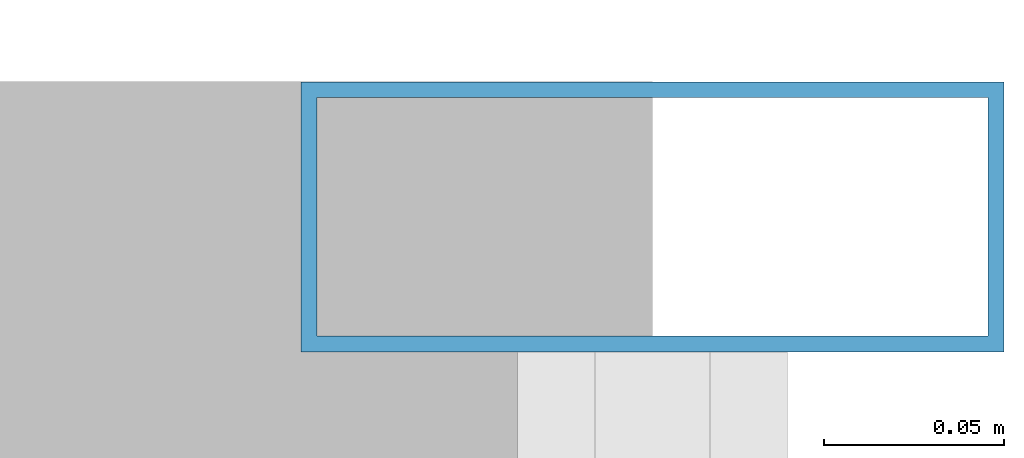
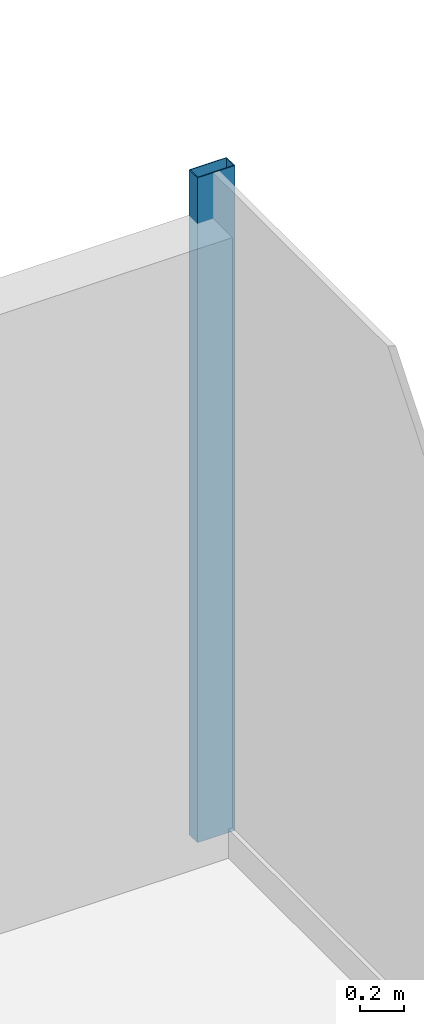
# One storey, part 18 of 25: 1 member, 1 element without a shape of its own.
"""IFC4 building model written with IfcOpenShell, lengths in metres."""

import ifcopenshell
import ifcopenshell.guid

model = None  # the IFC model being written
_history = None  # IfcOwnerHistory: only IFC2X3 demands one
_inside = {}  # id of a spatial element -> (the spatial element, [elements in it])
_under = {}  # id of a project, library or spatial element -> (it, [spatial elements below it])
_declared = {}  # id of a project -> (the project, [libraries it declares])
_typed = {}  # id of a type object -> (the type object, [elements of that type])
_made_of = {}  # id of a material, layer set ... -> (it, [elements and type objects made of it])


def new_model(schema):
    """Start an empty IFC model of exactly this schema.

    Asked for "IFC4X3", IfcOpenShell would pick the latest addendum, in which some entities
    have other attributes; the version numbers below select the first issue.
    IFC2X3 requires an IfcOwnerHistory on every rooted entity: one is made here for all.
    """
    global model, _history
    if schema == "IFC4X3":
        model = ifcopenshell.file(schema_version=(4, 3, 0, 0))
    else:
        model = ifcopenshell.file(schema=schema)
    _inside.clear()
    _under.clear()
    _declared.clear()
    _typed.clear()
    _made_of.clear()
    _history = None
    if model.schema == "IFC2X3":
        org = make("IfcOrganization", Name="unknown")
        user = make(
            "IfcPersonAndOrganization",
            ThePerson=make("IfcPerson", FamilyName="unknown"),
            TheOrganization=org,
        )
        app = make(
            "IfcApplication",
            ApplicationDeveloper=org,
            Version="unknown",
            ApplicationFullName="unknown",
            ApplicationIdentifier="unknown",
        )
        _history = make(
            "IfcOwnerHistory",
            OwningUser=user,
            OwningApplication=app,
            ChangeAction="ADDED",
            CreationDate=0,
        )
    return model


def make(cls, **values):
    """One entity of the class cls with the attributes given. An attribute that is None is left unset."""
    return model.create_entity(
        cls, **{name: value for name, value in values.items() if value is not None}
    )


def rooted(cls, **values):
    """An entity with a GlobalId (a new one), such as an element, a storey or a relation."""
    return make(cls, GlobalId=ifcopenshell.guid.new(), OwnerHistory=_history, **values)


def si_unit(unit_type, name, prefix=None):
    """IfcSIUnit, for example si_unit("LENGTHUNIT", "METRE", prefix="MILLI")."""
    return make("IfcSIUnit", UnitType=unit_type, Prefix=prefix, Name=name)


def derived_unit(unit_type, elements):
    """IfcDerivedUnit: a product of units, each with its exponent."""
    return make(
        "IfcDerivedUnit",
        Elements=[
            make("IfcDerivedUnitElement", Unit=unit, Exponent=power)
            for unit, power in elements
        ],
        UnitType=unit_type,
    )


def assignment(units):
    """IfcUnitAssignment: the units of a project."""
    return None if units is None else make("IfcUnitAssignment", Units=units)


def point(xyz):
    """IfcCartesianPoint."""
    return None if xyz is None else make("IfcCartesianPoint", Coordinates=xyz)


def direction(xyz):
    """IfcDirection."""
    return None if xyz is None else make("IfcDirection", DirectionRatios=xyz)


def frame(location, z_axis=None, x_axis=None):
    """IfcAxis2Placement3D, a coordinate frame: its origin and axes. An axis left out is left unset."""
    return make(
        "IfcAxis2Placement3D",
        Location=point(location),
        Axis=direction(z_axis),
        RefDirection=direction(x_axis),
    )


def frame_2d(location, x_axis=None):
    """IfcAxis2Placement2D, a coordinate frame in the plane: its origin and x axis."""
    return make(
        "IfcAxis2Placement2D", Location=point(location), RefDirection=direction(x_axis)
    )


def origin():
    """The frame at (0, 0, 0) with its axes left unset."""
    return frame((0.0, 0.0, 0.0))


def origin_2d():
    """The frame at (0, 0) in the plane with its x axis left unset."""
    return frame_2d((0.0, 0.0))


def place(relative_to, where):
    """IfcLocalPlacement: puts the frame where relative to a parent placement (None: the world)."""
    return make(
        "IfcLocalPlacement", PlacementRelTo=relative_to, RelativePlacement=where
    )


def context(
    kind, dimensions, precision=None, world=None, true_north=None, identifier=None
):
    """IfcGeometricRepresentationContext, for example the 3D "Model" context."""
    return make(
        "IfcGeometricRepresentationContext",
        ContextIdentifier=identifier,
        ContextType=kind,
        CoordinateSpaceDimension=dimensions,
        Precision=precision,
        WorldCoordinateSystem=world,
        TrueNorth=true_north,
    )


def subcontext(parent, identifier, kind, view, scale=None):
    """IfcGeometricRepresentationSubContext, for example "Body" below "Model"."""
    return make(
        "IfcGeometricRepresentationSubContext",
        ContextIdentifier=identifier,
        ContextType=kind,
        ParentContext=parent,
        TargetScale=scale,
        TargetView=view,
    )


def project(units=None, contexts=None):
    """IfcProject with its units and contexts."""
    return rooted(
        "IfcProject",
        Name="project",
        RepresentationContexts=contexts,
        UnitsInContext=assignment(units),
    )


def spatial(cls, under=None, at=None, **own):
    """A site, building, storey or space (cls), placed at a placement, below another one or the project."""
    s = rooted(cls, ObjectPlacement=at, **own)
    if under is not None:
        _under.setdefault(under.id(), (under, []))[1].append(s)
    return s


def profile(cls, at=None, kind="AREA", **sizes):
    """A parametric profile (cls). Its sizes go by their IFC names, for example OverallWidth=200.0."""
    return make(cls, ProfileType=kind, Position=at, **sizes)


def hollow_rectangle(**sizes):
    """IfcRectangleHollowProfileDef."""
    return profile("IfcRectangleHollowProfileDef", **sizes)


def extrude(swept, where, along, depth):
    """IfcExtrudedAreaSolid: the profile swept, set in the frame where, extruded along a direction by depth."""
    return make(
        "IfcExtrudedAreaSolid",
        SweptArea=swept,
        Position=where,
        ExtrudedDirection=direction(along),
        Depth=depth,
    )


def shape(context_of_items, identifier, shape_type, items):
    """IfcShapeRepresentation: the items that make up one representation, for example the "Body"."""
    return make(
        "IfcShapeRepresentation",
        ContextOfItems=context_of_items,
        RepresentationIdentifier=identifier,
        RepresentationType=shape_type,
        Items=items,
    )


def source(mapping_origin, context_of_items, identifier, shape_type, items):
    """IfcRepresentationMap: a shape defined once, which mapped items show again and again."""
    return make(
        "IfcRepresentationMap",
        MappingOrigin=mapping_origin,
        MappedRepresentation=shape(context_of_items, identifier, shape_type, items),
    )


def transform(
    local_origin,
    x_axis=None,
    y_axis=None,
    z_axis=None,
    scale=None,
    scale2=None,
    scale3=None,
    uniform=True,
):
    """IfcCartesianTransformationOperator3D, or its non-uniform kind. x_axis, y_axis, z_axis: its Axis1, 2, 3."""
    if uniform:
        return make(
            "IfcCartesianTransformationOperator3D",
            Axis1=direction(x_axis),
            Axis2=direction(y_axis),
            LocalOrigin=point(local_origin),
            Scale=scale,
            Axis3=direction(z_axis),
        )
    return make(
        "IfcCartesianTransformationOperator3DnonUniform",
        Axis1=direction(x_axis),
        Axis2=direction(y_axis),
        LocalOrigin=point(local_origin),
        Scale=scale,
        Axis3=direction(z_axis),
        Scale2=scale2,
        Scale3=scale3,
    )


def mapped(mapping_source, mapping_target):
    """IfcMappedItem: shows the shape of a source again, moved by a transform."""
    return make(
        "IfcMappedItem", MappingSource=mapping_source, MappingTarget=mapping_target
    )


def material(Name=None, Category=None):
    """IfcMaterial."""
    return make("IfcMaterial", Name=Name, Category=Category)


def material_profile(
    of_material, cross_section, Name=None, Category=None, Priority=None
):
    """IfcMaterialProfile: a cross section and its material."""
    return make(
        "IfcMaterialProfile",
        Name=Name,
        Material=of_material,
        Profile=cross_section,
        Priority=Priority,
        Category=Category,
    )


def profile_set(profiles, Name=None, composite=None):
    """IfcMaterialProfileSet."""
    return make(
        "IfcMaterialProfileSet",
        Name=Name,
        MaterialProfiles=profiles,
        CompositeProfile=composite,
    )


def made_of(thing, what):
    """Note that an element or type object is made of a material, layer set ...; save() writes the relation."""
    if what is not None:
        _made_of.setdefault(what.id(), (what, []))[1].append(thing)
    return thing


def type_object(cls, material=None, **own):
    """A type object (cls), such as IfcWallType, which elements share."""
    return made_of(rooted(cls, **own), material)


def element(
    cls,
    number,
    at=None,
    inside=None,
    cuts=None,
    type_object=None,
    material=None,
    context=None,
    identifier="Body",
    shape_type=None,
    held_by="IfcProductDefinitionShape",
    body=None,
    shapes=None,
    **own,
):
    """One element of the class cls, such as IfcWall. Its Tag is "e" and its number.

    at: its placement. inside: the storey or other place that contains it. cuts: it is an
    opening in that element (IfcRelVoidsElement). A single representation is given by context,
    identifier, shape_type and body (its items); several are given by shapes. held_by: the class
    of the entity that holds the representations. save() writes the other relations.
    """
    e = rooted(cls, Tag="e%d" % number, ObjectPlacement=at, **own)
    if body is not None:
        shapes = [shape(context, identifier, shape_type, body)]
    if shapes is not None:
        e.Representation = make(held_by, Representations=shapes)
    if inside is not None:
        _inside.setdefault(inside.id(), (inside, []))[1].append(e)
    if cuts is not None:
        rooted(
            "IfcRelVoidsElement", RelatingBuildingElement=cuts, RelatedOpeningElement=e
        )
    if type_object is not None:
        _typed.setdefault(type_object.id(), (type_object, []))[1].append(e)
    return made_of(e, material)


def aggregate(whole, parts):
    """IfcRelAggregates: a whole, such as a stair, and the parts it consists of."""
    return rooted("IfcRelAggregates", RelatingObject=whole, RelatedObjects=parts)


def save(model, path):
    """Write the relations noted so far, then the file.

    IfcRelAggregates (storeys below a building ...), IfcRelContainedInSpatialStructure (elements
    in a storey), IfcRelDefinesByType, IfcRelAssociatesMaterial and IfcRelDeclares: one each for
    every whole, place, type object, material and project.
    """
    for whole, parts in _under.values():
        aggregate(whole, parts)
    for where, things in _inside.values():
        rooted(
            "IfcRelContainedInSpatialStructure",
            RelatedElements=things,
            RelatingStructure=where,
        )
    for kind, things in _typed.values():
        rooted("IfcRelDefinesByType", RelatedObjects=things, RelatingType=kind)
    for what, things in _made_of.values():
        rooted("IfcRelAssociatesMaterial", RelatedObjects=things, RelatingMaterial=what)
    for by, libraries in _declared.values():
        rooted("IfcRelDeclares", RelatingContext=by, RelatedDefinitions=libraries)
    model.write(path)


model = new_model("IFC4")

# Units and contexts
model_context = context("Model", 3, precision=1e-05, world=origin(), true_north=direction((0.0, 1.0)))
body_context = subcontext(model_context, "Body", "Model", "MODEL_VIEW")
ifc_project = project(units=[si_unit("LENGTHUNIT", "METRE"), si_unit("AREAUNIT", "SQUARE_METRE"), si_unit("VOLUMEUNIT", "CUBIC_METRE"), si_unit("PLANEANGLEUNIT", "RADIAN"), si_unit("MASSUNIT", "GRAM", prefix="KILO"), derived_unit("THERMALTRANSMITTANCEUNIT", [(si_unit("POWERUNIT", "WATT"), 1), (si_unit("LENGTHUNIT", "METRE"), -2), (si_unit("THERMODYNAMICTEMPERATUREUNIT", "KELVIN"), -1)])], contexts=[model_context])

# Site, building, storey
site_placement = place(None, origin())
site = spatial("IfcSite", under=ifc_project, at=site_placement, CompositionType="ELEMENT")
building_placement = place(site_placement, origin())
building = spatial("IfcBuilding", under=site, at=building_placement, Name="Skarnbrae Concourse Arena and Tower", CompositionType="ELEMENT")
storey_placement = place(building_placement, frame((0.0, 0.0, 155.199951171875)))
storey = spatial("IfcBuildingStorey", under=building, at=storey_placement, Name="L39", CompositionType="ELEMENT", Elevation=155.199951171875)

# Curtain wall, member
ifc_material = material(Name="Bronze anodised aluminium 6063-T6", Category="aluminium")
curtain_wall_type = type_object("IfcCurtainWallType", Name="CW-SYS-04-MIDZONE", PredefinedType="USERDEFINED", material=ifc_material)
curtain_wall_placement = place(storey_placement, origin())
curtain_wall = element("IfcCurtainWall", 1, at=curtain_wall_placement, inside=storey, type_object=curtain_wall_type, Name="L39 Unitised curtain wall CW-L39-E04", ObjectType="UNITISED CURTAIN WALL", PredefinedType="USERDEFINED")
ifc_material_profile = material_profile(ifc_material, hollow_rectangle(XDim=0.074951171875, YDim=0.195068359375, WallThickness=0.00439453125, at=origin_2d()), Name="ALU-MULL-75X195")
ifc_profile_set = profile_set([ifc_material_profile], Name="Bronze anodised aluminium 6063-T6")
member_type = type_object("IfcMemberType", Name="CWM-CW-04", PredefinedType="MULLION", material=ifc_profile_set)
shared_shape = source(origin(), body_context, "Body", "SweptSolid", [
    extrude(hollow_rectangle(XDim=0.074951171875, YDim=0.195068359375, WallThickness=0.00439453125, at=origin_2d()), origin(), (0.0, 0.0, 1.0), 3.650146484375),
])
member_placement = place(storey_placement, frame((50.0, 32.96240234375, 0.0), z_axis=(0.0, 0.0, 1.0), x_axis=(0.0, 1.0, 0.0)))
member = element("IfcMember", 2, at=member_placement, type_object=member_type, Name="CW-L39-E04 Mullion 5", PredefinedType="MULLION", context=body_context, shape_type="MappedRepresentation", body=[
    mapped(shared_shape, transform((0.0, 0.0, 0.0))),
])
aggregate(curtain_wall, [member])

save(model, "model.ifc")
